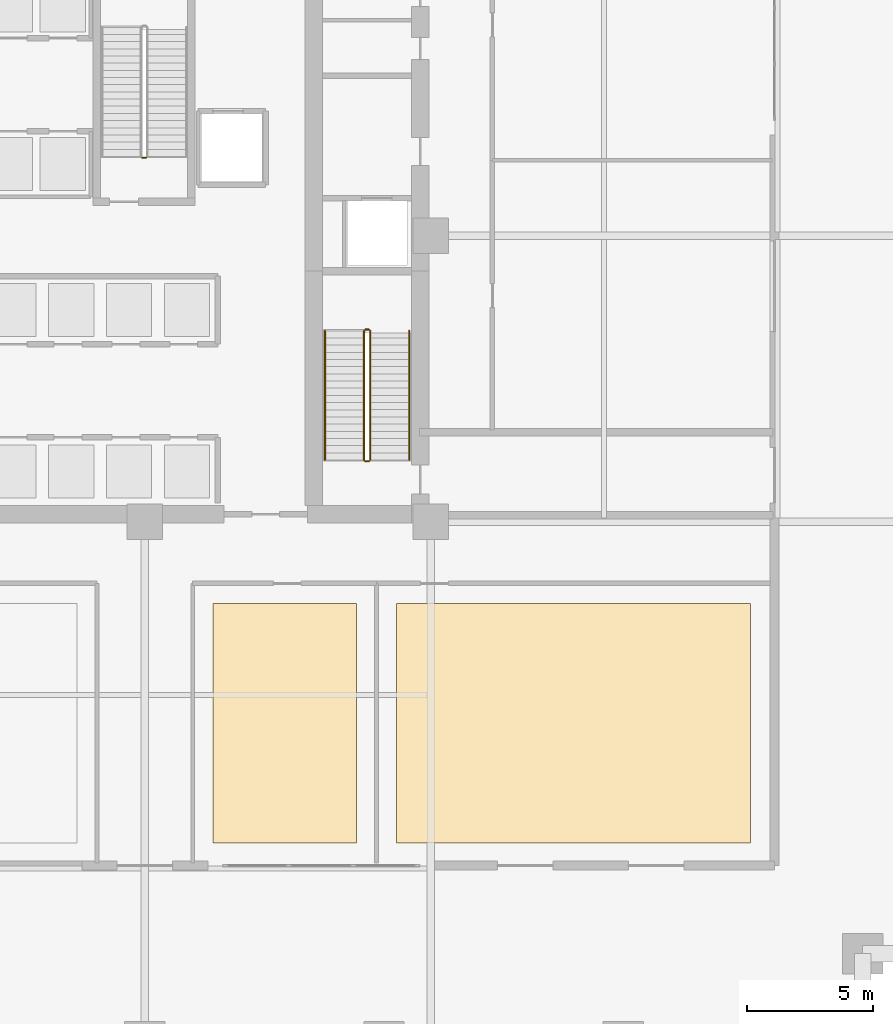
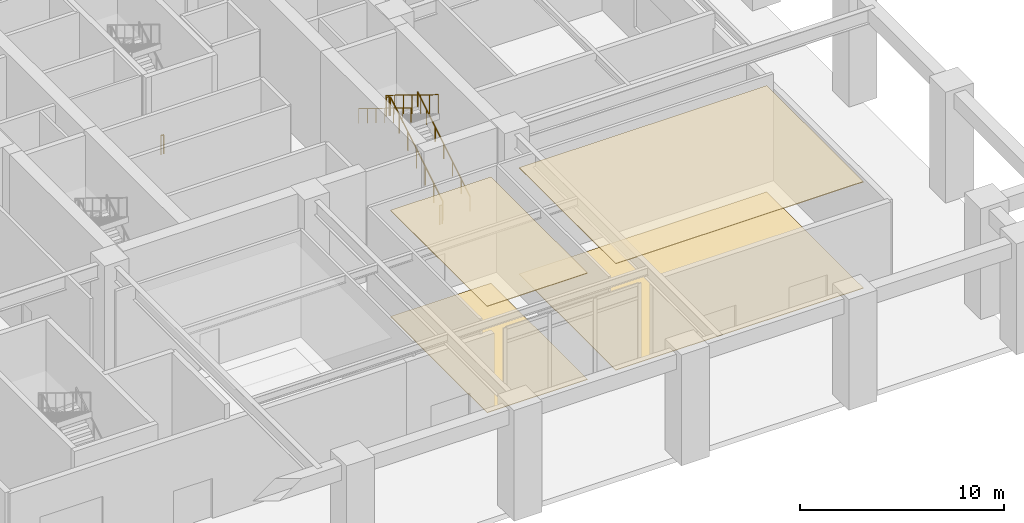
# One storey, part 14 of 17: 7 railings, 4 coverings.
"""IFC4 building model written with IfcOpenShell, lengths in metres."""

from ifc_helpers import new_model, si_unit, direction, frame, origin, origin_2d, place, context, subcontext, project, spatial, polyline, circle, outline, extrude, material, layer, layer_set, type_object, element, save


model = new_model("IFC4")

# Units and contexts
model_context = context("Model", 3, precision=1e-05, world=origin(), true_north=direction((0.0, 1.0)))
body_context = subcontext(model_context, "Body", "Model", "MODEL_VIEW")
ifc_project = project(units=[si_unit("LENGTHUNIT", "METRE"), si_unit("AREAUNIT", "SQUARE_METRE"), si_unit("VOLUMEUNIT", "CUBIC_METRE"), si_unit("PLANEANGLEUNIT", "RADIAN"), si_unit("MASSUNIT", "GRAM", prefix="KILO")], contexts=[model_context])

# Site, building, storey
site_placement = place(None, origin())
site = spatial("IfcSite", under=ifc_project, at=site_placement, CompositionType="ELEMENT")
building_placement = place(site_placement, origin())
building = spatial("IfcBuilding", under=site, at=building_placement, Name="Nhamokura Convention Tower", CompositionType="ELEMENT")
storey_placement = place(building_placement, origin())
storey = spatial("IfcBuildingStorey", under=building, at=storey_placement, Name="L00", CompositionType="ELEMENT", Elevation=0.0)

# Coverings
ifc_material_1 = material(Name="Anodised bronze aluminium ceiling baffle", Category="aluminium")
ifc_layer_1 = layer(ifc_material_1, 0.0400390625)
ifc_layer_set_1 = layer_set([ifc_layer_1], Name="BronzeBaffleCeiling_40")
covering_type_1 = type_object("IfcCoveringType", Name="BronzeBaffleCeiling_40", PredefinedType="CEILING", material=ifc_layer_set_1)
covering_1_placement = place(storey_placement, frame((0.0, 0.0, 6.3701171875)))
element("IfcCovering", 1, at=covering_1_placement, inside=storey, type_object=covering_type_1, Name="L00 Suspended Ceiling 04", PredefinedType="CEILING", context=body_context, shape_type="SweptSolid", body=[
    extrude(outline(polyline([(34.699951171875, 7.89990234375), (40.39990234375, 7.89990234375), (40.39990234375, 17.39990234375), (34.699951171875, 17.39990234375), (34.699951171875, 7.89990234375)])), origin(), (0.0, 0.0, 1.0), 0.039794921875),
])
covering_2_placement = place(storey_placement, frame((0.0, 0.0, 6.3701171875)))
element("IfcCovering", 2, at=covering_2_placement, inside=storey, type_object=covering_type_1, Name="L00 Suspended Ceiling 05", PredefinedType="CEILING", context=body_context, shape_type="SweptSolid", body=[
    extrude(outline(polyline([(42.0, 7.89990234375), (56.050048828125, 7.89990234375), (56.050048828125, 17.39990234375), (42.0, 17.39990234375), (42.0, 7.89990234375)])), origin(), (0.0, 0.0, 1.0), 0.039794921875),
])
ifc_material_2 = material(Name="Polished Sabana granite terrazzo", Category="masonry")
ifc_layer_2 = layer(ifc_material_2, 0.030029296875)
ifc_layer_set_2 = layer_set([ifc_layer_2], Name="SabanaTerrazzoFlooring_30")
covering_type_2 = type_object("IfcCoveringType", Name="SabanaTerrazzoFlooring_30", PredefinedType="FLOORING", material=ifc_layer_set_2)
covering_3_placement = place(storey_placement, origin())
element("IfcCovering", 3, at=covering_3_placement, inside=storey, type_object=covering_type_2, Name="L00 Finish Flooring 04", PredefinedType="FLOORING", context=body_context, shape_type="SweptSolid", body=[
    extrude(outline(polyline([(34.699951171875, 7.89990234375), (40.39990234375, 7.89990234375), (40.39990234375, 17.39990234375), (34.699951171875, 17.39990234375), (34.699951171875, 7.89990234375)])), origin(), (0.0, 0.0, 1.0), 0.030029296875),
])
covering_4_placement = place(storey_placement, origin())
element("IfcCovering", 4, at=covering_4_placement, inside=storey, type_object=covering_type_2, Name="L00 Finish Flooring 05", PredefinedType="FLOORING", context=body_context, shape_type="SweptSolid", body=[
    extrude(outline(polyline([(42.0, 7.89990234375), (56.050048828125, 7.89990234375), (56.050048828125, 17.39990234375), (42.0, 17.39990234375), (42.0, 7.89990234375)])), origin(), (0.0, 0.0, 1.0), 0.030029296875),
])

# Railings
ifc_material_3 = material(Name="Anodised bronze stainless steel", Category="steel")
railing_type_1 = type_object("IfcRailingType", Name="StairWallHandrail_900", PredefinedType="HANDRAIL", material=ifc_material_3)
railing_1_placement = place(storey_placement, frame((42.5, 23.10009765625, 0.175048828125)))
element("IfcRailing", 5, at=railing_1_placement, inside=storey, type_object=railing_type_1, Name="L00 ST-02 stair handrail 1", PredefinedType="HANDRAIL", context=body_context, shape_type="SweptSolid", body=[
    extrude(circle(Radius=0.02392578125, at=origin_2d()), frame((0.0, 0.0, 0.8759765625), z_axis=(0.0, 0.852173129349, 0.523259933127), x_axis=(-1.0, 0.0, 0.0)), (0.0, 0.0, 1.0), 6.019775390625),
    extrude(circle(Radius=0.02099609375, at=origin_2d()), origin(), (0.0, 0.0, 1.0), 0.851806640625),
    extrude(circle(Radius=0.02099609375, at=origin_2d()), frame((0.0, 0.85498046875, 0.52490234375)), (0.0, 0.0, 1.0), 0.851806640625),
    extrude(circle(Radius=0.02099609375, at=origin_2d()), frame((0.0, 1.7099609375, 1.050048828125)), (0.0, 0.0, 1.0), 0.851806640625),
    extrude(circle(Radius=0.02099609375, at=origin_2d()), frame((0.0, 2.56494140625, 1.574951171875)), (0.0, 0.0, 1.0), 0.851806640625),
    extrude(circle(Radius=0.02099609375, at=origin_2d()), frame((0.0, 3.419921875, 2.099853515625)), (0.0, 0.0, 1.0), 0.851806640625),
    extrude(circle(Radius=0.02099609375, at=origin_2d()), frame((0.0, 4.27490234375, 2.625)), (0.0, 0.0, 1.0), 0.851806640625),
    extrude(circle(Radius=0.02099609375, at=origin_2d()), frame((0.0, 5.1298828125, 3.14990234375)), (0.0, 0.0, 1.0), 0.851806640625),
])
railing_2_placement = place(storey_placement, frame((39.14990234375, 28.22998046875, 3.5)))
element("IfcRailing", 6, at=railing_2_placement, inside=storey, type_object=railing_type_1, Name="L00 ST-02 stair handrail 2", PredefinedType="HANDRAIL", context=body_context, shape_type="SweptSolid", body=[
    extrude(circle(Radius=0.02392578125, at=origin_2d()), frame((0.0, 0.0, 0.8759765625), z_axis=(0.0, -0.852173129349, 0.523259933127), x_axis=(1.0, 0.0, 0.0)), (0.0, 0.0, 1.0), 6.019775390625),
    extrude(circle(Radius=0.02099609375, at=origin_2d()), origin(), (0.0, 0.0, 1.0), 0.851806640625),
    extrude(circle(Radius=0.02099609375, at=origin_2d()), frame((0.0, -0.85498046875, 0.52490234375)), (0.0, 0.0, 1.0), 0.851806640625),
    extrude(circle(Radius=0.02099609375, at=origin_2d()), frame((0.0, -1.7099609375, 1.050048828125)), (0.0, 0.0, 1.0), 0.851806640625),
    extrude(circle(Radius=0.02099609375, at=origin_2d()), frame((0.0, -2.56494140625, 1.574951171875)), (0.0, 0.0, 1.0), 0.851806640625),
    extrude(circle(Radius=0.02099609375, at=origin_2d()), frame((0.0, -3.419921875, 2.099853515625)), (0.0, 0.0, 1.0), 0.851806640625),
    extrude(circle(Radius=0.02099609375, at=origin_2d()), frame((0.0, -4.27490234375, 2.625)), (0.0, 0.0, 1.0), 0.851806640625),
    extrude(circle(Radius=0.02099609375, at=origin_2d()), frame((0.0, -5.1298828125, 3.14990234375)), (0.0, 0.0, 1.0), 0.851806640625),
])
ifc_material_4 = material(Name="Painted tubular steel", Category="steel")
railing_type_2 = type_object("IfcRailingType", Name="StairWellGuardrail_1150", PredefinedType="GUARDRAIL", material=ifc_material_4)
railing_3_placement = place(storey_placement, frame((40.949951171875, 23.10009765625, 0.175048828125)))
element("IfcRailing", 7, at=railing_3_placement, inside=storey, type_object=railing_type_2, Name="L00 ST-02 stair guard 1", PredefinedType="GUARDRAIL", context=body_context, shape_type="SweptSolid", body=[
    extrude(circle(Radius=0.02392578125, at=origin_2d()), frame((0.0, 0.0, 1.1259765625), z_axis=(0.0, 0.852173129349, 0.523259933127), x_axis=(-1.0, 0.0, 0.0)), (0.0, 0.0, 1.0), 6.019775390625),
    extrude(circle(Radius=0.02099609375, at=origin_2d()), origin(), (0.0, 0.0, 1.0), 1.101806640625),
    extrude(circle(Radius=0.02099609375, at=origin_2d()), frame((0.0, 0.85498046875, 0.52490234375)), (0.0, 0.0, 1.0), 1.101806640625),
    extrude(circle(Radius=0.02099609375, at=origin_2d()), frame((0.0, 1.7099609375, 1.050048828125)), (0.0, 0.0, 1.0), 1.101806640625),
    extrude(circle(Radius=0.02099609375, at=origin_2d()), frame((0.0, 2.56494140625, 1.574951171875)), (0.0, 0.0, 1.0), 1.101806640625),
    extrude(circle(Radius=0.02099609375, at=origin_2d()), frame((0.0, 3.419921875, 2.099853515625)), (0.0, 0.0, 1.0), 1.101806640625),
    extrude(circle(Radius=0.02099609375, at=origin_2d()), frame((0.0, 4.27490234375, 2.625)), (0.0, 0.0, 1.0), 1.101806640625),
    extrude(circle(Radius=0.02099609375, at=origin_2d()), frame((0.0, 5.1298828125, 3.14990234375)), (0.0, 0.0, 1.0), 1.101806640625),
])
railing_4_placement = place(storey_placement, frame((40.89990234375, 28.280029296875, 3.324951171875)))
element("IfcRailing", 8, at=railing_4_placement, inside=storey, type_object=railing_type_2, Name="L00 ST-02 stair guard 2", PredefinedType="GUARDRAIL", context=body_context, shape_type="SweptSolid", body=[
    extrude(circle(Radius=0.02392578125, at=origin_2d()), frame((0.0, 0.0, 1.1259765625), z_axis=(-1.0, 0.0, 0.0), x_axis=(0.0, -1.0, 0.0)), (0.0, 0.0, 1.0), 0.14990234375),
    extrude(circle(Radius=0.02099609375, at=origin_2d()), origin(), (0.0, 0.0, 1.0), 1.101806640625),
    extrude(circle(Radius=0.02099609375, at=origin_2d()), frame((-0.14990234375, 0.0, 0.0)), (0.0, 0.0, 1.0), 1.101806640625),
])
railing_5_placement = place(storey_placement, frame((40.699951171875, 28.22998046875, 3.5)))
element("IfcRailing", 9, at=railing_5_placement, inside=storey, type_object=railing_type_2, Name="L00 ST-02 stair guard 3", PredefinedType="GUARDRAIL", context=body_context, shape_type="SweptSolid", body=[
    extrude(circle(Radius=0.02392578125, at=origin_2d()), frame((0.0, 0.0, 1.1259765625), z_axis=(0.0, -0.852173129349, 0.523259933127), x_axis=(1.0, 0.0, 0.0)), (0.0, 0.0, 1.0), 6.019775390625),
    extrude(circle(Radius=0.02099609375, at=origin_2d()), origin(), (0.0, 0.0, 1.0), 1.101806640625),
    extrude(circle(Radius=0.02099609375, at=origin_2d()), frame((0.0, -0.85498046875, 0.52490234375)), (0.0, 0.0, 1.0), 1.101806640625),
    extrude(circle(Radius=0.02099609375, at=origin_2d()), frame((0.0, -1.7099609375, 1.050048828125)), (0.0, 0.0, 1.0), 1.101806640625),
    extrude(circle(Radius=0.02099609375, at=origin_2d()), frame((0.0, -2.56494140625, 1.574951171875)), (0.0, 0.0, 1.0), 1.101806640625),
    extrude(circle(Radius=0.02099609375, at=origin_2d()), frame((0.0, -3.419921875, 2.099853515625)), (0.0, 0.0, 1.0), 1.101806640625),
    extrude(circle(Radius=0.02099609375, at=origin_2d()), frame((0.0, -4.27490234375, 2.625)), (0.0, 0.0, 1.0), 1.101806640625),
    extrude(circle(Radius=0.02099609375, at=origin_2d()), frame((0.0, -5.1298828125, 3.14990234375)), (0.0, 0.0, 1.0), 1.101806640625),
])
railing_6_placement = place(storey_placement, frame((40.89990234375, 23.050048828125, 0.0)))
element("IfcRailing", 10, at=railing_6_placement, inside=storey, type_object=railing_type_2, Name="L00 ST-02 stair guard 4", PredefinedType="GUARDRAIL", context=body_context, shape_type="SweptSolid", body=[
    extrude(circle(Radius=0.02392578125, at=origin_2d()), frame((0.0, 0.0, 1.1259765625), z_axis=(-1.0, 0.0, 0.0), x_axis=(0.0, -1.0, 0.0)), (0.0, 0.0, 1.0), 0.14990234375),
    extrude(circle(Radius=0.02099609375, at=origin_2d()), origin(), (0.0, 0.0, 1.0), 1.101806640625),
    extrude(circle(Radius=0.02099609375, at=origin_2d()), frame((-0.14990234375, 0.0, 0.0)), (0.0, 0.0, 1.0), 1.101806640625),
])
railing_7_placement = place(storey_placement, frame((32.050048828125, 35.10009765625, 0.0)))
element("IfcRailing", 11, at=railing_7_placement, inside=storey, type_object=railing_type_2, Name="L00 ST-03 stair guard 4", PredefinedType="GUARDRAIL", context=body_context, shape_type="SweptSolid", body=[
    extrude(circle(Radius=0.02392578125, at=origin_2d()), frame((0.0, 0.0, 1.1259765625), z_axis=(-1.0, 0.0, 0.0), x_axis=(0.0, -1.0, 0.0)), (0.0, 0.0, 1.0), 0.150146484375),
    extrude(circle(Radius=0.02099609375, at=origin_2d()), origin(), (0.0, 0.0, 1.0), 1.101806640625),
    extrude(circle(Radius=0.02099609375, at=origin_2d()), frame((-0.150146484375, 0.0, 0.0)), (0.0, 0.0, 1.0), 1.101806640625),
])

save(model, "model.ifc")
